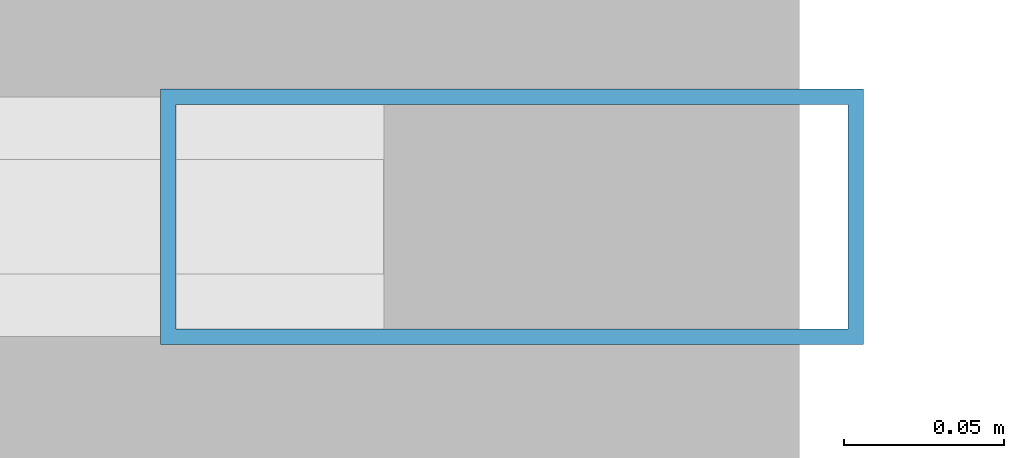
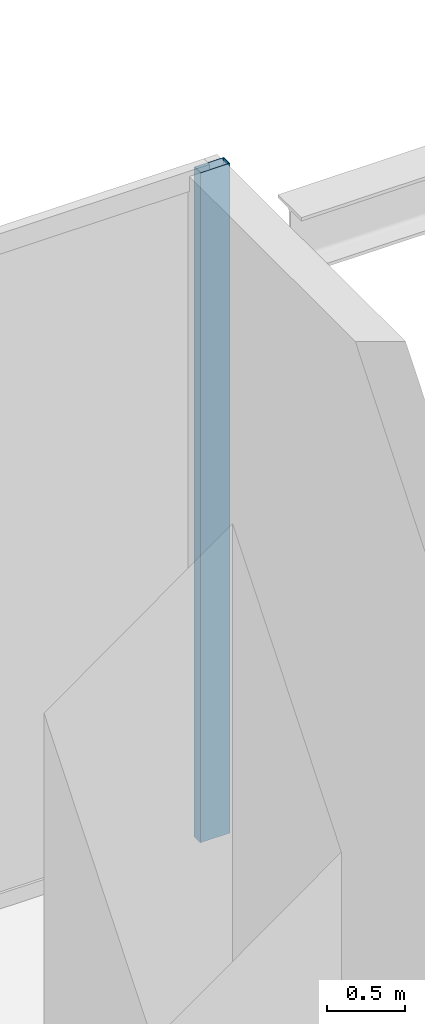
# One storey, part 6 of 17: 1 member, 1 element without a shape of its own.
"""IFC4 building model written with IfcOpenShell, lengths in metres."""

from ifc_helpers import new_model, si_unit, direction, frame, origin, origin_with_axes, origin_2d, place, context, subcontext, project, spatial, hollow_rectangle, extrude, source, transform, mapped, material, layer, layer_set, material_profile, profile_set, type_object, element, aggregate, save


model = new_model("IFC4")

# Units and contexts
model_context = context("Model", 3, precision=1e-05, world=origin(), true_north=direction((0.0, 1.0)))
body_context = subcontext(model_context, "Body", "Model", "MODEL_VIEW")
ifc_project = project(units=[si_unit("LENGTHUNIT", "METRE"), si_unit("AREAUNIT", "SQUARE_METRE"), si_unit("VOLUMEUNIT", "CUBIC_METRE"), si_unit("PLANEANGLEUNIT", "RADIAN"), si_unit("MASSUNIT", "GRAM", prefix="KILO")], contexts=[model_context])

# Site, building, storey
site_placement = place(None, origin())
site = spatial("IfcSite", under=ifc_project, at=site_placement, CompositionType="ELEMENT")
building_placement = place(site_placement, origin())
building = spatial("IfcBuilding", under=site, at=building_placement, Name="Kolvaren Waterfront Exchange", CompositionType="ELEMENT")
storey_placement = place(building_placement, origin())
storey = spatial("IfcBuildingStorey", under=building, at=storey_placement, Name="L01", CompositionType="ELEMENT", Elevation=0.0)

# Curtain wall, member
ifc_material_1 = material(Name="Anodised bronze aluminium 6063-T6", Category="aluminium")
ifc_layer = layer(ifc_material_1, 0.219970703125, Name="Anodised bronze aluminium 6063-T6")
ifc_layer_set = layer_set([ifc_layer], Name="Anodised bronze aluminium 6063-T6")
curtain_wall_type = type_object("IfcCurtainWallType", Name="ARC-CW-SYS4", PredefinedType="USERDEFINED", material=ifc_layer_set)
curtain_wall_placement = place(storey_placement, origin())
curtain_wall = element("IfcCurtainWall", 1, at=curtain_wall_placement, inside=storey, type_object=curtain_wall_type, Name="L01 stick curtain wall CW4 (CW-L01-N2)", ObjectType="STICK CURTAIN WALL", PredefinedType="USERDEFINED")
ifc_material_2 = material(Name="Anodised aluminium 6063-T6", Category="aluminium")
ifc_material_profile = material_profile(ifc_material_2, hollow_rectangle(XDim=0.080078125, YDim=0.219970703125, WallThickness=0.0048828125, at=origin_2d()), Name="ALU-MUL-220x80x5")
ifc_profile_set = profile_set([ifc_material_profile], Name="Anodised aluminium 6063-T6")
member_type = type_object("IfcMemberType", Name="ARC-CWM-220", PredefinedType="MULLION", material=ifc_profile_set)
shared_shape = source(origin_with_axes(), body_context, "Body", "SweptSolid", [
    extrude(hollow_rectangle(XDim=0.080078125, YDim=0.219970703125, WallThickness=0.0048828125, at=origin_2d()), origin(), (0.0, 0.0, 1.0), 5.260009765625),
])
member_placement = place(storey_placement, frame((37.31005859375, 51.06005859375, 0.0), z_axis=(0.0, 0.0, 1.0), x_axis=(0.0, -1.0, 0.0)))
member = element("IfcMember", 2, at=member_placement, type_object=member_type, Name="CW4 mullion 1", PredefinedType="MULLION", context=body_context, shape_type="MappedRepresentation", body=[
    mapped(shared_shape, transform((0.0, 0.0, 0.0), x_axis=(1.0, 0.0, 0.0), y_axis=(0.0, 1.0, 0.0), z_axis=(0.0, 0.0, 1.0), scale=1.0)),
])
aggregate(curtain_wall, [member])

save(model, "model.ifc")
